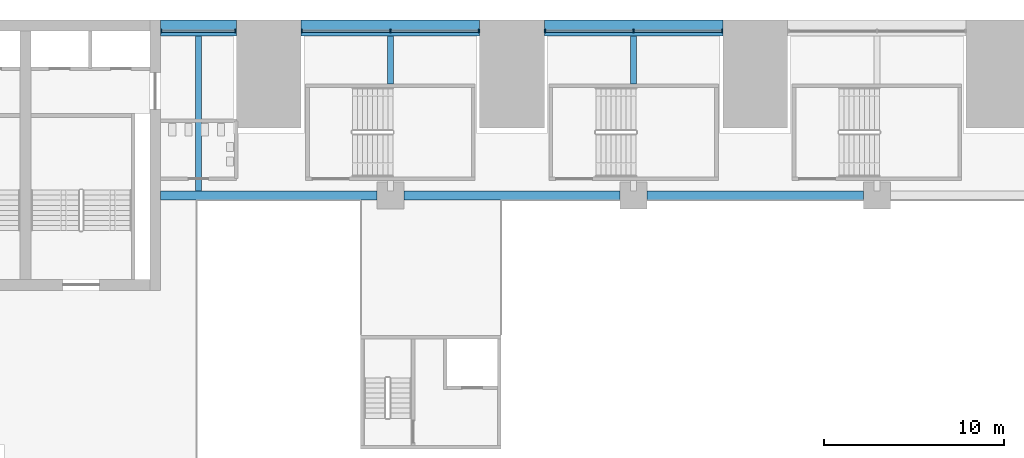
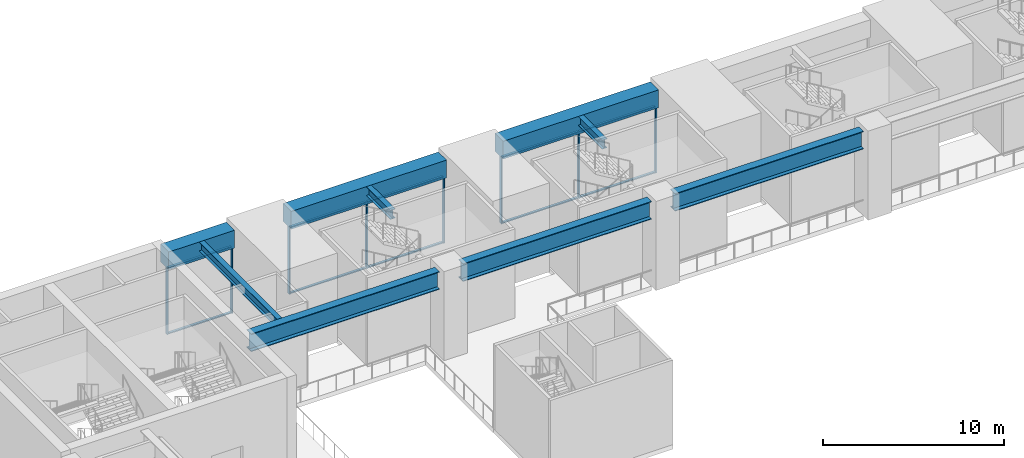
# One storey, part 8 of 43: 18 members, 9 beams, 3 elements without a shape of their own.
"""IFC4 building model written with IfcOpenShell, lengths in metres."""

import ifcopenshell
import ifcopenshell.guid

model = None  # the IFC model being written
_history = None  # IfcOwnerHistory: only IFC2X3 demands one
_inside = {}  # id of a spatial element -> (the spatial element, [elements in it])
_under = {}  # id of a project, library or spatial element -> (it, [spatial elements below it])
_declared = {}  # id of a project -> (the project, [libraries it declares])
_typed = {}  # id of a type object -> (the type object, [elements of that type])
_made_of = {}  # id of a material, layer set ... -> (it, [elements and type objects made of it])


def new_model(schema):
    """Start an empty IFC model of exactly this schema.

    Asked for "IFC4X3", IfcOpenShell would pick the latest addendum, in which some entities
    have other attributes; the version numbers below select the first issue.
    IFC2X3 requires an IfcOwnerHistory on every rooted entity: one is made here for all.
    """
    global model, _history
    if schema == "IFC4X3":
        model = ifcopenshell.file(schema_version=(4, 3, 0, 0))
    else:
        model = ifcopenshell.file(schema=schema)
    _inside.clear()
    _under.clear()
    _declared.clear()
    _typed.clear()
    _made_of.clear()
    _history = None
    if model.schema == "IFC2X3":
        org = make("IfcOrganization", Name="unknown")
        user = make(
            "IfcPersonAndOrganization",
            ThePerson=make("IfcPerson", FamilyName="unknown"),
            TheOrganization=org,
        )
        app = make(
            "IfcApplication",
            ApplicationDeveloper=org,
            Version="unknown",
            ApplicationFullName="unknown",
            ApplicationIdentifier="unknown",
        )
        _history = make(
            "IfcOwnerHistory",
            OwningUser=user,
            OwningApplication=app,
            ChangeAction="ADDED",
            CreationDate=0,
        )
    return model


def make(cls, **values):
    """One entity of the class cls with the attributes given. An attribute that is None is left unset."""
    return model.create_entity(
        cls, **{name: value for name, value in values.items() if value is not None}
    )


def rooted(cls, **values):
    """An entity with a GlobalId (a new one), such as an element, a storey or a relation."""
    return make(cls, GlobalId=ifcopenshell.guid.new(), OwnerHistory=_history, **values)


def si_unit(unit_type, name, prefix=None):
    """IfcSIUnit, for example si_unit("LENGTHUNIT", "METRE", prefix="MILLI")."""
    return make("IfcSIUnit", UnitType=unit_type, Prefix=prefix, Name=name)


def assignment(units):
    """IfcUnitAssignment: the units of a project."""
    return None if units is None else make("IfcUnitAssignment", Units=units)


def point(xyz):
    """IfcCartesianPoint."""
    return None if xyz is None else make("IfcCartesianPoint", Coordinates=xyz)


def direction(xyz):
    """IfcDirection."""
    return None if xyz is None else make("IfcDirection", DirectionRatios=xyz)


def frame(location, z_axis=None, x_axis=None):
    """IfcAxis2Placement3D, a coordinate frame: its origin and axes. An axis left out is left unset."""
    return make(
        "IfcAxis2Placement3D",
        Location=point(location),
        Axis=direction(z_axis),
        RefDirection=direction(x_axis),
    )


def frame_2d(location, x_axis=None):
    """IfcAxis2Placement2D, a coordinate frame in the plane: its origin and x axis."""
    return make(
        "IfcAxis2Placement2D", Location=point(location), RefDirection=direction(x_axis)
    )


def origin():
    """The frame at (0, 0, 0) with its axes left unset."""
    return frame((0.0, 0.0, 0.0))


def origin_2d():
    """The frame at (0, 0) in the plane with its x axis left unset."""
    return frame_2d((0.0, 0.0))


def place(relative_to, where):
    """IfcLocalPlacement: puts the frame where relative to a parent placement (None: the world)."""
    return make(
        "IfcLocalPlacement", PlacementRelTo=relative_to, RelativePlacement=where
    )


def context(
    kind, dimensions, precision=None, world=None, true_north=None, identifier=None
):
    """IfcGeometricRepresentationContext, for example the 3D "Model" context."""
    return make(
        "IfcGeometricRepresentationContext",
        ContextIdentifier=identifier,
        ContextType=kind,
        CoordinateSpaceDimension=dimensions,
        Precision=precision,
        WorldCoordinateSystem=world,
        TrueNorth=true_north,
    )


def subcontext(parent, identifier, kind, view, scale=None):
    """IfcGeometricRepresentationSubContext, for example "Body" below "Model"."""
    return make(
        "IfcGeometricRepresentationSubContext",
        ContextIdentifier=identifier,
        ContextType=kind,
        ParentContext=parent,
        TargetScale=scale,
        TargetView=view,
    )


def project(units=None, contexts=None):
    """IfcProject with its units and contexts."""
    return rooted(
        "IfcProject",
        Name="project",
        RepresentationContexts=contexts,
        UnitsInContext=assignment(units),
    )


def spatial(cls, under=None, at=None, **own):
    """A site, building, storey or space (cls), placed at a placement, below another one or the project."""
    s = rooted(cls, ObjectPlacement=at, **own)
    if under is not None:
        _under.setdefault(under.id(), (under, []))[1].append(s)
    return s


def profile(cls, at=None, kind="AREA", **sizes):
    """A parametric profile (cls). Its sizes go by their IFC names, for example OverallWidth=200.0."""
    return make(cls, ProfileType=kind, Position=at, **sizes)


def rectangle(**sizes):
    """IfcRectangleProfileDef."""
    return profile("IfcRectangleProfileDef", **sizes)


def i_section(**sizes):
    """IfcIShapeProfileDef."""
    return profile("IfcIShapeProfileDef", **sizes)


def extrude(swept, where, along, depth):
    """IfcExtrudedAreaSolid: the profile swept, set in the frame where, extruded along a direction by depth."""
    return make(
        "IfcExtrudedAreaSolid",
        SweptArea=swept,
        Position=where,
        ExtrudedDirection=direction(along),
        Depth=depth,
    )


def shape(context_of_items, identifier, shape_type, items):
    """IfcShapeRepresentation: the items that make up one representation, for example the "Body"."""
    return make(
        "IfcShapeRepresentation",
        ContextOfItems=context_of_items,
        RepresentationIdentifier=identifier,
        RepresentationType=shape_type,
        Items=items,
    )


def material(Name=None, Category=None):
    """IfcMaterial."""
    return make("IfcMaterial", Name=Name, Category=Category)


def layer(
    of_material, thickness, ventilated=None, Name=None, Category=None, Priority=None
):
    """IfcMaterialLayer: one layer of a wall or slab, of a material (None: an air gap)."""
    return make(
        "IfcMaterialLayer",
        Material=of_material,
        LayerThickness=thickness,
        IsVentilated=ventilated,
        Name=Name,
        Category=Category,
        Priority=Priority,
    )


def layer_set(layers, Name=None):
    """IfcMaterialLayerSet."""
    return make("IfcMaterialLayerSet", MaterialLayers=layers, LayerSetName=Name)


def material_profile(
    of_material, cross_section, Name=None, Category=None, Priority=None
):
    """IfcMaterialProfile: a cross section and its material."""
    return make(
        "IfcMaterialProfile",
        Name=Name,
        Material=of_material,
        Profile=cross_section,
        Priority=Priority,
        Category=Category,
    )


def profile_set(profiles, Name=None, composite=None):
    """IfcMaterialProfileSet."""
    return make(
        "IfcMaterialProfileSet",
        Name=Name,
        MaterialProfiles=profiles,
        CompositeProfile=composite,
    )


def made_of(thing, what):
    """Note that an element or type object is made of a material, layer set ...; save() writes the relation."""
    if what is not None:
        _made_of.setdefault(what.id(), (what, []))[1].append(thing)
    return thing


def type_object(cls, material=None, **own):
    """A type object (cls), such as IfcWallType, which elements share."""
    return made_of(rooted(cls, **own), material)


def element(
    cls,
    number,
    at=None,
    inside=None,
    cuts=None,
    type_object=None,
    material=None,
    context=None,
    identifier="Body",
    shape_type=None,
    held_by="IfcProductDefinitionShape",
    body=None,
    shapes=None,
    **own,
):
    """One element of the class cls, such as IfcWall. Its Tag is "e" and its number.

    at: its placement. inside: the storey or other place that contains it. cuts: it is an
    opening in that element (IfcRelVoidsElement). A single representation is given by context,
    identifier, shape_type and body (its items); several are given by shapes. held_by: the class
    of the entity that holds the representations. save() writes the other relations.
    """
    e = rooted(cls, Tag="e%d" % number, ObjectPlacement=at, **own)
    if body is not None:
        shapes = [shape(context, identifier, shape_type, body)]
    if shapes is not None:
        e.Representation = make(held_by, Representations=shapes)
    if inside is not None:
        _inside.setdefault(inside.id(), (inside, []))[1].append(e)
    if cuts is not None:
        rooted(
            "IfcRelVoidsElement", RelatingBuildingElement=cuts, RelatedOpeningElement=e
        )
    if type_object is not None:
        _typed.setdefault(type_object.id(), (type_object, []))[1].append(e)
    return made_of(e, material)


def aggregate(whole, parts):
    """IfcRelAggregates: a whole, such as a stair, and the parts it consists of."""
    return rooted("IfcRelAggregates", RelatingObject=whole, RelatedObjects=parts)


def save(model, path):
    """Write the relations noted so far, then the file.

    IfcRelAggregates (storeys below a building ...), IfcRelContainedInSpatialStructure (elements
    in a storey), IfcRelDefinesByType, IfcRelAssociatesMaterial and IfcRelDeclares: one each for
    every whole, place, type object, material and project.
    """
    for whole, parts in _under.values():
        aggregate(whole, parts)
    for where, things in _inside.values():
        rooted(
            "IfcRelContainedInSpatialStructure",
            RelatedElements=things,
            RelatingStructure=where,
        )
    for kind, things in _typed.values():
        rooted("IfcRelDefinesByType", RelatedObjects=things, RelatingType=kind)
    for what, things in _made_of.values():
        rooted("IfcRelAssociatesMaterial", RelatedObjects=things, RelatingMaterial=what)
    for by, libraries in _declared.values():
        rooted("IfcRelDeclares", RelatingContext=by, RelatedDefinitions=libraries)
    model.write(path)


model = new_model("IFC4")

# Units and contexts
model_context = context("Model", 3, precision=1e-05, world=origin(), true_north=direction((0.0, 1.0)))
body_context = subcontext(model_context, "Body", "Model", "MODEL_VIEW")
ifc_project = project(units=[si_unit("LENGTHUNIT", "METRE"), si_unit("AREAUNIT", "SQUARE_METRE"), si_unit("VOLUMEUNIT", "CUBIC_METRE"), si_unit("PLANEANGLEUNIT", "RADIAN"), si_unit("MASSUNIT", "GRAM", prefix="KILO")], contexts=[model_context])

# Site, building, storey
site_placement = place(None, origin())
site = spatial("IfcSite", under=ifc_project, at=site_placement, CompositionType="ELEMENT")
building_placement = place(site_placement, origin())
building = spatial("IfcBuilding", under=site, at=building_placement, Name="Corbelhall Arena Tower", CompositionType="ELEMENT")
storey_placement = place(building_placement, frame((0.0, 0.0, 25.0)))
storey = spatial("IfcBuildingStorey", under=building, at=storey_placement, Name="L03", CompositionType="ELEMENT", Elevation=25.0)

# Curtain wall, members
ifc_material_1 = material(Name="Aluminium black anodised", Category="aluminium")
ifc_layer = layer(ifc_material_1, 0.239990234375)
ifc_layer_set = layer_set([ifc_layer], Name="EV-CW4 Arena concourse glazing")
curtain_wall_type = type_object("IfcCurtainWallType", Name="EV-CW4 Arena concourse glazing", PredefinedType="NOTDEFINED", material=ifc_layer_set)
curtain_wall_1_placement = place(storey_placement, origin())
curtain_wall_1 = element("IfcCurtainWall", 1, at=curtain_wall_1_placement, inside=storey, type_object=curtain_wall_type, Name="Curtain wall CW4", PredefinedType="NOTDEFINED")
ifc_material_profile_1 = material_profile(ifc_material_1, rectangle(XDim=0.199951171875, YDim=0.074951171875, at=origin_2d()))
ifc_profile_set_1 = profile_set([ifc_material_profile_1], Name="Aluminium black anodised")
member_type_1 = type_object("IfcMemberType", Name="EV-CW4-MULLION", PredefinedType="MULLION", material=ifc_profile_set_1)
member_1_placement = place(storey_placement, frame((-1.83740234375, 38.3798828125, 0.0), z_axis=(0.0, 0.0, 1.0), x_axis=(0.0, -1.0, 0.0)))
member_1 = element("IfcMember", 2, at=member_1_placement, type_object=member_type_1, Name="CW4 mullion 1", PredefinedType="MULLION", context=body_context, shape_type="SweptSolid", body=[
    extrude(rectangle(XDim=0.199951171875, YDim=0.074951171875, at=origin_2d()), origin(), (0.0, 0.0, 1.0), 4.5),
])
member_2_placement = place(storey_placement, frame((-6.75, 38.3798828125, 0.0), z_axis=(0.0, 0.0, 1.0), x_axis=(0.0, -1.0, 0.0)))
member_2 = element("IfcMember", 3, at=member_2_placement, type_object=member_type_1, Name="CW4 mullion 2", PredefinedType="MULLION", context=body_context, shape_type="SweptSolid", body=[
    extrude(rectangle(XDim=0.199951171875, YDim=0.074951171875, at=origin_2d()), origin(), (0.0, 0.0, 1.0), 4.5),
])
member_3_placement = place(storey_placement, frame((-11.66259765625, 38.3798828125, 0.0), z_axis=(0.0, 0.0, 1.0), x_axis=(0.0, -1.0, 0.0)))
member_3 = element("IfcMember", 4, at=member_3_placement, type_object=member_type_1, Name="CW4 mullion 3", PredefinedType="MULLION", context=body_context, shape_type="SweptSolid", body=[
    extrude(rectangle(XDim=0.199951171875, YDim=0.074951171875, at=origin_2d()), origin(), (0.0, 0.0, 1.0), 4.5),
])

curtain_wall_2_placement = place(storey_placement, origin())
curtain_wall_2 = element("IfcCurtainWall", 5, at=curtain_wall_2_placement, inside=storey, type_object=curtain_wall_type, Name="Curtain wall CW4", PredefinedType="NOTDEFINED")
member_4_placement = place(storey_placement, frame((-15.33740234375, 38.3798828125, 0.0), z_axis=(0.0, 0.0, 1.0), x_axis=(0.0, -1.0, 0.0)))
member_4 = element("IfcMember", 6, at=member_4_placement, type_object=member_type_1, Name="CW4 mullion 1", PredefinedType="MULLION", context=body_context, shape_type="SweptSolid", body=[
    extrude(rectangle(XDim=0.199951171875, YDim=0.074951171875, at=origin_2d()), origin(), (0.0, 0.0, 1.0), 4.5),
])
member_5_placement = place(storey_placement, frame((-20.25, 38.3798828125, 0.0), z_axis=(0.0, 0.0, 1.0), x_axis=(0.0, -1.0, 0.0)))
member_5 = element("IfcMember", 7, at=member_5_placement, type_object=member_type_1, Name="CW4 mullion 2", PredefinedType="MULLION", context=body_context, shape_type="SweptSolid", body=[
    extrude(rectangle(XDim=0.199951171875, YDim=0.074951171875, at=origin_2d()), origin(), (0.0, 0.0, 1.0), 4.5),
])
member_6_placement = place(storey_placement, frame((-25.16259765625, 38.3798828125, 0.0), z_axis=(0.0, 0.0, 1.0), x_axis=(0.0, -1.0, 0.0)))
member_6 = element("IfcMember", 8, at=member_6_placement, type_object=member_type_1, Name="CW4 mullion 3", PredefinedType="MULLION", context=body_context, shape_type="SweptSolid", body=[
    extrude(rectangle(XDim=0.199951171875, YDim=0.074951171875, at=origin_2d()), origin(), (0.0, 0.0, 1.0), 4.5),
])

curtain_wall_3_placement = place(storey_placement, origin())
curtain_wall_3 = element("IfcCurtainWall", 9, at=curtain_wall_3_placement, inside=storey, type_object=curtain_wall_type, Name="Curtain wall CW4A", PredefinedType="NOTDEFINED")
member_7_placement = place(storey_placement, frame((-28.83740234375, 38.3798828125, 0.0), z_axis=(0.0, 0.0, 1.0), x_axis=(0.0, -1.0, 0.0)))
member_7 = element("IfcMember", 10, at=member_7_placement, type_object=member_type_1, Name="CW4A mullion 1", PredefinedType="MULLION", context=body_context, shape_type="SweptSolid", body=[
    extrude(rectangle(XDim=0.199951171875, YDim=0.074951171875, at=origin_2d()), origin(), (0.0, 0.0, 1.0), 4.5),
])
member_8_placement = place(storey_placement, frame((-32.96240234375, 38.3798828125, 0.0), z_axis=(0.0, 0.0, 1.0), x_axis=(0.0, -1.0, 0.0)))
member_8 = element("IfcMember", 11, at=member_8_placement, type_object=member_type_1, Name="CW4A mullion 2", PredefinedType="MULLION", context=body_context, shape_type="SweptSolid", body=[
    extrude(rectangle(XDim=0.199951171875, YDim=0.074951171875, at=origin_2d()), origin(), (0.0, 0.0, 1.0), 4.5),
])

# Member
ifc_material_profile_2 = material_profile(ifc_material_1, rectangle(XDim=0.14990234375, YDim=0.074951171875, at=origin_2d()))
ifc_profile_set_2 = profile_set([ifc_material_profile_2], Name="Aluminium black anodised")
member_type_2 = type_object("IfcMemberType", Name="EV-CW4-TRANSOM", PredefinedType="USERDEFINED", material=ifc_profile_set_2)
member_9_placement = place(storey_placement, frame((-1.875, 38.3798828125, 0.03759765625), z_axis=(-1.0, 0.0, 0.0), x_axis=(0.0, -1.0, 0.0)))
member_9 = element("IfcMember", 12, at=member_9_placement, type_object=member_type_2, Name="CW4 transom 1.1", ObjectType="transom", PredefinedType="USERDEFINED", context=body_context, shape_type="SweptSolid", body=[
    extrude(rectangle(XDim=0.14990234375, YDim=0.074951171875, at=origin_2d()), origin(), (0.0, 0.0, 1.0), 4.83740234375),
])

member_10_placement = place(storey_placement, frame((-1.875, 38.3798828125, 4.46240234375), z_axis=(-1.0, 0.0, 0.0), x_axis=(0.0, -1.0, 0.0)))
member_10 = element("IfcMember", 13, at=member_10_placement, type_object=member_type_2, Name="CW4 transom 1.2", ObjectType="transom", PredefinedType="USERDEFINED", context=body_context, shape_type="SweptSolid", body=[
    extrude(rectangle(XDim=0.14990234375, YDim=0.074951171875, at=origin_2d()), origin(), (0.0, 0.0, 1.0), 4.83740234375),
])

member_11_placement = place(storey_placement, frame((-6.78759765625, 38.3798828125, 0.03759765625), z_axis=(-1.0, 0.0, 0.0), x_axis=(0.0, -1.0, 0.0)))
member_11 = element("IfcMember", 14, at=member_11_placement, type_object=member_type_2, Name="CW4 transom 2.1", ObjectType="transom", PredefinedType="USERDEFINED", context=body_context, shape_type="SweptSolid", body=[
    extrude(rectangle(XDim=0.14990234375, YDim=0.074951171875, at=origin_2d()), origin(), (0.0, 0.0, 1.0), 4.83740234375),
])

member_12_placement = place(storey_placement, frame((-6.78759765625, 38.3798828125, 4.46240234375), z_axis=(-1.0, 0.0, 0.0), x_axis=(0.0, -1.0, 0.0)))
member_12 = element("IfcMember", 15, at=member_12_placement, type_object=member_type_2, Name="CW4 transom 2.2", ObjectType="transom", PredefinedType="USERDEFINED", context=body_context, shape_type="SweptSolid", body=[
    extrude(rectangle(XDim=0.14990234375, YDim=0.074951171875, at=origin_2d()), origin(), (0.0, 0.0, 1.0), 4.83740234375),
])

aggregate(curtain_wall_1, [member_1, member_2, member_3, member_9, member_10, member_11, member_12])

member_13_placement = place(storey_placement, frame((-15.375, 38.3798828125, 0.03759765625), z_axis=(-1.0, 0.0, 0.0), x_axis=(0.0, -1.0, 0.0)))
member_13 = element("IfcMember", 16, at=member_13_placement, type_object=member_type_2, Name="CW4 transom 1.1", ObjectType="transom", PredefinedType="USERDEFINED", context=body_context, shape_type="SweptSolid", body=[
    extrude(rectangle(XDim=0.14990234375, YDim=0.074951171875, at=origin_2d()), origin(), (0.0, 0.0, 1.0), 4.83740234375),
])

member_14_placement = place(storey_placement, frame((-15.375, 38.3798828125, 4.46240234375), z_axis=(-1.0, 0.0, 0.0), x_axis=(0.0, -1.0, 0.0)))
member_14 = element("IfcMember", 17, at=member_14_placement, type_object=member_type_2, Name="CW4 transom 1.2", ObjectType="transom", PredefinedType="USERDEFINED", context=body_context, shape_type="SweptSolid", body=[
    extrude(rectangle(XDim=0.14990234375, YDim=0.074951171875, at=origin_2d()), origin(), (0.0, 0.0, 1.0), 4.83740234375),
])

member_15_placement = place(storey_placement, frame((-20.28759765625, 38.3798828125, 0.03759765625), z_axis=(-1.0, 0.0, 0.0), x_axis=(0.0, -1.0, 0.0)))
member_15 = element("IfcMember", 18, at=member_15_placement, type_object=member_type_2, Name="CW4 transom 2.1", ObjectType="transom", PredefinedType="USERDEFINED", context=body_context, shape_type="SweptSolid", body=[
    extrude(rectangle(XDim=0.14990234375, YDim=0.074951171875, at=origin_2d()), origin(), (0.0, 0.0, 1.0), 4.83740234375),
])

member_16_placement = place(storey_placement, frame((-20.28759765625, 38.3798828125, 4.46240234375), z_axis=(-1.0, 0.0, 0.0), x_axis=(0.0, -1.0, 0.0)))
member_16 = element("IfcMember", 19, at=member_16_placement, type_object=member_type_2, Name="CW4 transom 2.2", ObjectType="transom", PredefinedType="USERDEFINED", context=body_context, shape_type="SweptSolid", body=[
    extrude(rectangle(XDim=0.14990234375, YDim=0.074951171875, at=origin_2d()), origin(), (0.0, 0.0, 1.0), 4.83740234375),
])

aggregate(curtain_wall_2, [member_4, member_5, member_6, member_13, member_14, member_15, member_16])

member_17_placement = place(storey_placement, frame((-28.875, 38.3798828125, 0.03759765625), z_axis=(-1.0, 0.0, 0.0), x_axis=(0.0, -1.0, 0.0)))
member_17 = element("IfcMember", 20, at=member_17_placement, type_object=member_type_2, Name="CW4A transom 1.1", ObjectType="transom", PredefinedType="USERDEFINED", context=body_context, shape_type="SweptSolid", body=[
    extrude(rectangle(XDim=0.14990234375, YDim=0.074951171875, at=origin_2d()), origin(), (0.0, 0.0, 1.0), 4.050048828125),
])

member_18_placement = place(storey_placement, frame((-28.875, 38.3798828125, 4.46240234375), z_axis=(-1.0, 0.0, 0.0), x_axis=(0.0, -1.0, 0.0)))
member_18 = element("IfcMember", 21, at=member_18_placement, type_object=member_type_2, Name="CW4A transom 1.2", ObjectType="transom", PredefinedType="USERDEFINED", context=body_context, shape_type="SweptSolid", body=[
    extrude(rectangle(XDim=0.14990234375, YDim=0.074951171875, at=origin_2d()), origin(), (0.0, 0.0, 1.0), 4.050048828125),
])

aggregate(curtain_wall_3, [member_7, member_8, member_17, member_18])

# Beams
ifc_material_2 = material(Name="Steel ASTM A992 Gr50", Category="steel")
ifc_material_profile_3 = material_profile(ifc_material_2, i_section(OverallWidth=0.323974609375, OverallDepth=0.611083984375, WebThickness=0.0126953125, FlangeThickness=0.01904296875, at=origin_2d()))
ifc_profile_set_3 = profile_set([ifc_material_profile_3], Name="Steel ASTM A992 Gr50")
beam_type_1 = type_object("IfcBeamType", Name="PO-BEAM-W24X104", PredefinedType="BEAM", material=ifc_profile_set_3)
beam_1_placement = place(storey_placement, frame((-30.89990234375, 29.5, 5.39453125), z_axis=(0.0, 1.0, 0.0), x_axis=(-1.0, 0.0, 0.0)))
element("IfcBeam", 22, at=beam_1_placement, inside=storey, type_object=beam_type_1, Name="CONCOURSE BEAM", PredefinedType="BEAM", context=body_context, shape_type="SweptSolid", body=[
    extrude(i_section(OverallWidth=0.323974609375, OverallDepth=0.611083984375, WebThickness=0.0126953125, FlangeThickness=0.01904296875, at=origin_2d()), origin(), (0.0, 0.0, 1.0), 8.60009765625),
])
for number, where, z_axis, x_axis, name in (
    (23, (-20.25, 35.449951171875, 5.39453125), (0.0, 1.0, 0.0), (-1.0, 0.0, 0.0), "CONCOURSE BEAM"),
    (24, (-6.75, 35.449951171875, 5.39453125), (0.0, 1.0, 0.0), (-1.0, 0.0, 0.0), "CONCOURSE BEAM"),
):
    element("IfcBeam", number, at=place(storey_placement, frame(where, z_axis=z_axis, x_axis=x_axis)), inside=storey, type_object=beam_type_1, Name=name, PredefinedType="BEAM", context=body_context, shape_type="SweptSolid", body=[
        extrude(i_section(OverallWidth=0.323974609375, OverallDepth=0.611083984375, WebThickness=0.0126953125, FlangeThickness=0.01904296875, at=origin_2d()), origin(), (0.0, 0.0, 1.0), 2.650146484375),
    ])
ifc_material_3 = material(Name="Steel ASTM A572 Gr50", Category="steel")
ifc_material_profile_4 = material_profile(ifc_material_3, i_section(OverallWidth=0.5, OverallDepth=1.199951171875, WebThickness=0.02490234375, FlangeThickness=0.044921875, at=origin_2d()))
ifc_profile_set_4 = profile_set([ifc_material_profile_4], Name="Steel ASTM A572 Gr50")
beam_type_2 = type_object("IfcBeamType", Name="PO-GIRDER-PG1200X500X25X45", PredefinedType="BEAM", material=ifc_profile_set_4)
for number, where, z_axis, x_axis, name in (
    (25, (-33.0, 29.25, 5.10009765625), (1.0, 0.0, 0.0), (0.0, 1.0, 0.0), "RING GIRDER"),
    (26, (-19.5, 29.25, 5.10009765625), (1.0, 0.0, 0.0), (0.0, 1.0, 0.0), "RING GIRDER"),
    (27, (-6.0, 29.25, 5.10009765625), (1.0, 0.0, 0.0), (0.0, 1.0, 0.0), "RING GIRDER"),
):
    element("IfcBeam", number, at=place(storey_placement, frame(where, z_axis=z_axis, x_axis=x_axis)), inside=storey, type_object=beam_type_2, Name=name, PredefinedType="BEAM", context=body_context, shape_type="SweptSolid", body=[
        extrude(i_section(OverallWidth=0.5, OverallDepth=1.199951171875, WebThickness=0.02490234375, FlangeThickness=0.044921875, at=origin_2d()), origin(), (0.0, 0.0, 1.0), 12.0),
    ])
ifc_material_4 = material(Name="Concrete C80/95", Category="concrete")
ifc_material_profile_5 = material_profile(ifc_material_4, rectangle(XDim=0.89990234375, YDim=1.199951171875, at=origin_2d()))
ifc_profile_set_5 = profile_set([ifc_material_profile_5], Name="Concrete C80/95")
beam_type_3 = type_object("IfcBeamType", Name="PO-RING-BEAM", PredefinedType="BEAM", material=ifc_profile_set_5)
beam_2_placement = place(storey_placement, frame((-33.0, 38.550048828125, 5.10009765625), z_axis=(1.0, 0.0, 0.0), x_axis=(0.0, 1.0, 0.0)))
element("IfcBeam", 28, at=beam_2_placement, inside=storey, type_object=beam_type_3, Name="RING GIRDER L04 N1", PredefinedType="BEAM", context=body_context, shape_type="SweptSolid", body=[
    extrude(rectangle(XDim=0.89990234375, YDim=1.199951171875, at=origin_2d()), origin(), (0.0, 0.0, 1.0), 4.199951171875),
])
for number, where, z_axis, x_axis, name in (
    (29, (-25.199951171875, 38.550048828125, 5.10009765625), (1.0, 0.0, 0.0), (0.0, 1.0, 0.0), "RING GIRDER L04 N2"),
    (30, (-11.699951171875, 38.550048828125, 5.10009765625), (1.0, 0.0, 0.0), (0.0, 1.0, 0.0), "RING GIRDER L04 N3"),
):
    element("IfcBeam", number, at=place(storey_placement, frame(where, z_axis=z_axis, x_axis=x_axis)), inside=storey, type_object=beam_type_3, Name=name, PredefinedType="BEAM", context=body_context, shape_type="SweptSolid", body=[
        extrude(rectangle(XDim=0.89990234375, YDim=1.199951171875, at=origin_2d()), origin(), (0.0, 0.0, 1.0), 9.89990234375),
    ])

save(model, "model.ifc")
